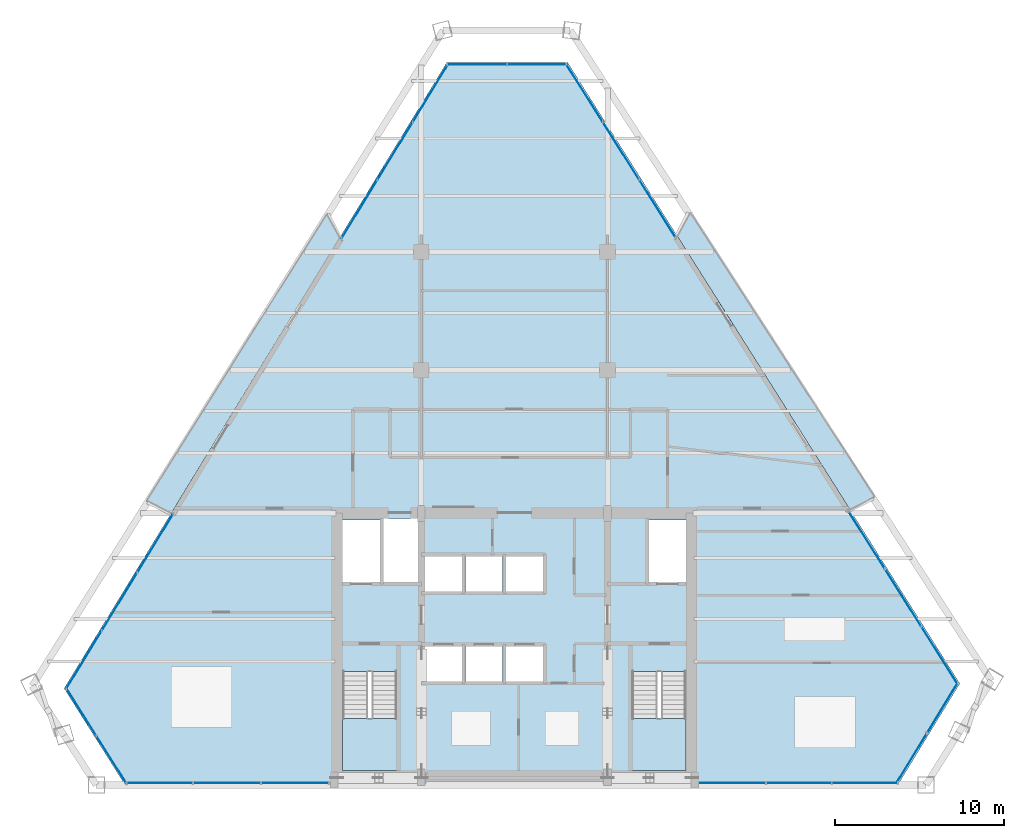
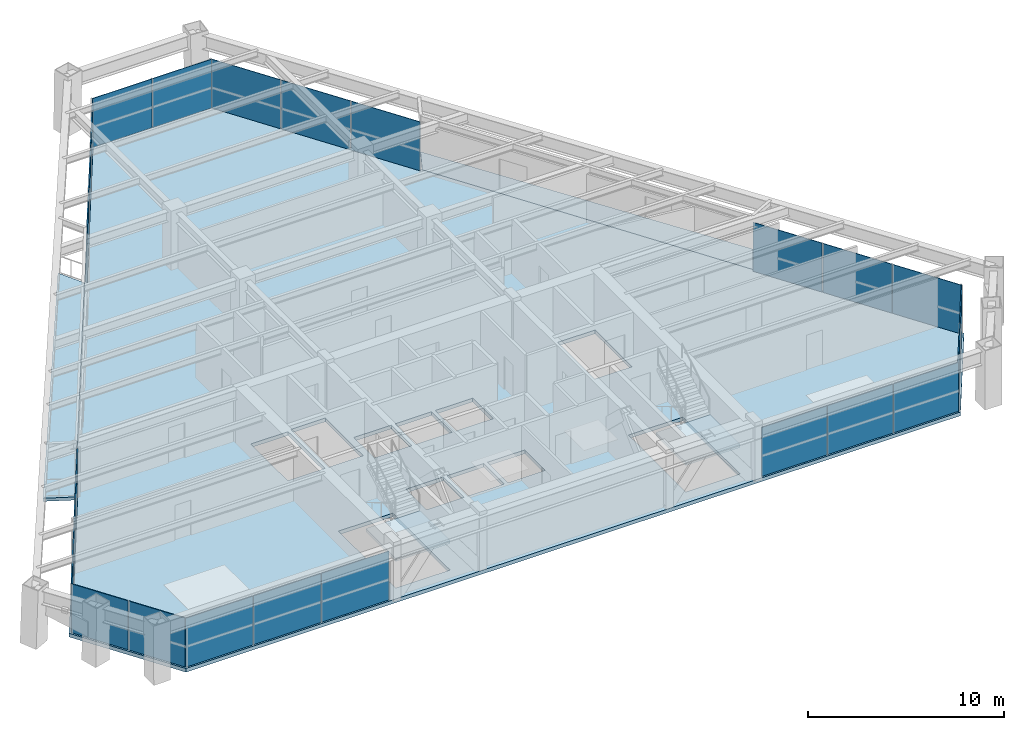
# One storey, part 8 of 13: 24 plates, 5 slabs, 11 elements without a shape of their own.
"""IFC4 building model written with IfcOpenShell, lengths in metres."""

from ifc_helpers import new_model, si_unit, direction, frame, origin, origin_2d, place, context, subcontext, project, spatial, polyline, rectangle, outline, extrude, source, transform, mapped, material, layer, layer_set, type_object, element, aggregate, save


model = new_model("IFC4")

# Units and contexts
model_context = context("Model", 3, precision=1e-05, world=origin(), true_north=direction((0.0, 1.0)))
body_context = subcontext(model_context, "Body", "Model", "MODEL_VIEW")
ifc_project = project(units=[si_unit("LENGTHUNIT", "METRE"), si_unit("AREAUNIT", "SQUARE_METRE"), si_unit("VOLUMEUNIT", "CUBIC_METRE"), si_unit("PLANEANGLEUNIT", "RADIAN"), si_unit("MASSUNIT", "GRAM", prefix="KILO")], contexts=[model_context])

# Site, building, storey
site_placement = place(None, origin())
site = spatial("IfcSite", under=ifc_project, at=site_placement, CompositionType="ELEMENT")
building_placement = place(site_placement, origin())
building = spatial("IfcBuilding", under=site, at=building_placement, Name="Varnakhor Terracotta Tower", CompositionType="ELEMENT")
storey_placement = place(building_placement, frame((0.0, 0.0, 200.60009765625)))
storey = spatial("IfcBuildingStorey", under=building, at=storey_placement, Name="L51", CompositionType="ELEMENT", Elevation=200.60009765625)

# Stair, slab
ifc_material_1 = material(Name="Concrete C40/50", Category="concrete")
stair_type = type_object("IfcStairType", Name="STR-CORE-OFFICE-1500", PredefinedType="HALF_TURN_STAIR", material=ifc_material_1)
stair_1_placement = place(storey_placement, origin())
stair_1 = element("IfcStair", 1, at=stair_1_placement, inside=storey, type_object=stair_type, Name="L51 Core Exit Stair ST-1", PredefinedType="HALF_TURN_STAIR")
ifc_layer_1 = layer(ifc_material_1, 0.179931640625, Name="Concrete C40/50")
ifc_layer_set_1 = layer_set([ifc_layer_1], Name="Concrete C40/50")
slab_type_1 = type_object("IfcSlabType", Name="SLB-LANDING-180", PredefinedType="LANDING", material=ifc_layer_set_1)
slab_1_placement = place(storey_placement, frame((0.0, 0.0, 1.64990234375)))
slab_1 = element("IfcSlab", 2, at=slab_1_placement, type_object=slab_type_1, Name="ST-1 landing 1", PredefinedType="LANDING", context=body_context, shape_type="SweptSolid", body=[
    extrude(outline(polyline([(-10.14990234375, 3.909912109375), (-10.14990234375, 0.85009765625), (-6.949951171875, 0.85009765625), (-6.949951171875, 3.909912109375), (-10.14990234375, 3.909912109375)])), origin(), (0.0, 0.0, 1.0), 0.199951171875),
])
aggregate(stair_1, [slab_1])

stair_2_placement = place(storey_placement, origin())
stair_2 = element("IfcStair", 3, at=stair_2_placement, inside=storey, type_object=stair_type, Name="L51 Core Exit Stair ST-2", PredefinedType="HALF_TURN_STAIR")
slab_2_placement = place(storey_placement, frame((0.0, 0.0, 1.64990234375)))
slab_2 = element("IfcSlab", 4, at=slab_2_placement, type_object=slab_type_1, Name="ST-2 landing 1", PredefinedType="LANDING", context=body_context, shape_type="SweptSolid", body=[
    extrude(outline(polyline([(6.949951171875, 3.909912109375), (6.949951171875, 0.85009765625), (10.14990234375, 0.85009765625), (10.14990234375, 3.909912109375), (6.949951171875, 3.909912109375)])), origin(), (0.0, 0.0, 1.0), 0.199951171875),
])
aggregate(stair_2, [slab_2])

# Slabs
ifc_layer_2 = layer(ifc_material_1, 0.195068359375, Name="Concrete C40/50")
ifc_layer_set_2 = layer_set([ifc_layer_2], Name="Concrete C40/50")
slab_type_2 = type_object("IfcSlabType", Name="SLB-LOGGIA-EXT-195", PredefinedType="FLOOR", material=ifc_layer_set_2)
slab_3_placement = place(storey_placement, frame((0.0, 0.0, -0.195068359375)))
element("IfcSlab", 5, at=slab_3_placement, inside=storey, type_object=slab_type_2, Name="L51 E Recessed Outdoor Loggia Slab", PredefinedType="FLOOR", context=body_context, shape_type="SweptSolid", body=[
    extrude(outline(polyline([(10.363525390625, 33.849365234375), (21.291259765625, 16.98681640625), (19.829833984375, 16.264892578125), (9.635498046875, 32.41064453125), (10.363525390625, 33.849365234375)])), origin(), (0.0, 0.0, 1.0), 0.195068359375),
])
slab_4_placement = place(storey_placement, frame((0.0, 0.0, -0.195068359375)))
element("IfcSlab", 6, at=slab_4_placement, inside=storey, type_object=slab_type_2, Name="L51 W Recessed Outdoor Loggia Slab", PredefinedType="FLOOR", context=body_context, shape_type="SweptSolid", body=[
    extrude(outline(polyline([(-21.752685546875, 16.77001953125), (-11.064697265625, 33.764892578125), (-10.333251953125, 32.330078125), (-20.281982421875, 16.05712890625), (-21.752685546875, 16.77001953125)])), origin(), (0.0, 0.0, 1.0), 0.195068359375),
])
ifc_layer_3 = layer(ifc_material_1, 0.22998046875, Name="Concrete C40/50")
ifc_layer_set_3 = layer_set([ifc_layer_3], Name="Concrete C40/50")
slab_type_3 = type_object("IfcSlabType", Name="SLB-OFF-230", PredefinedType="FLOOR", material=ifc_layer_set_3)
slab_5_placement = place(storey_placement, frame((0.0, 0.0, -0.22998046875)))
element("IfcSlab", 7, at=slab_5_placement, inside=storey, type_object=slab_type_3, Name="L51 Structural Floor Slab", PredefinedType="FLOOR", context=body_context, shape_type="SweptSolid", body=[
    extrude(outline(polyline([(-26.61328125, 5.70166015625), (-4.001953125, 42.685302734375), (3.148193359375, 42.685302734375), (26.317138671875, 5.990234375), (22.65478515625, 0.0), (-23.01318359375, 0.0), (-26.61328125, 5.70166015625)]), holes=[polyline([(-6.949951171875, 0.85009765625), (-6.949951171875, 6.695068359375), (-10.14990234375, 6.695068359375), (-10.14990234375, 0.85009765625), (-6.949951171875, 0.85009765625)]), polyline([(-3.10009765625, 6.10009765625), (-3.10009765625, 8.199951171875), (-5.300048828125, 8.199951171875), (-5.300048828125, 6.10009765625), (-3.10009765625, 6.10009765625)]), polyline([(-0.719970703125, 6.10009765625), (-0.719970703125, 8.199951171875), (-2.8798828125, 8.199951171875), (-2.8798828125, 6.10009765625), (-0.719970703125, 6.10009765625)]), polyline([(-5.300048828125, 11.419921875), (-3.10009765625, 11.419921875), (-3.10009765625, 13.52001953125), (-5.300048828125, 13.52001953125), (-5.300048828125, 11.419921875)]), polyline([(-10.14990234375, 11.8798828125), (-7.949951171875, 11.8798828125), (-7.949951171875, 15.64990234375), (-10.14990234375, 15.64990234375), (-10.14990234375, 11.8798828125)]), polyline([(-5.699951171875, 11.8798828125), (-5.699951171875, 15.75), (-7.72998046875, 15.75), (-7.72998046875, 11.8798828125), (-5.699951171875, 11.8798828125)]), polyline([(6.949951171875, 0.85009765625), (10.14990234375, 0.85009765625), (10.14990234375, 6.695068359375), (6.949951171875, 6.695068359375), (6.949951171875, 0.85009765625)]), polyline([(-0.5, 6.10009765625), (1.699951171875, 6.10009765625), (1.699951171875, 8.199951171875), (-0.5, 8.199951171875), (-0.5, 6.10009765625)]), polyline([(-0.719970703125, 11.419921875), (-0.719970703125, 13.52001953125), (-2.8798828125, 13.52001953125), (-2.8798828125, 11.419921875), (-0.719970703125, 11.419921875)]), polyline([(-0.5, 11.419921875), (1.699951171875, 11.419921875), (1.699951171875, 13.52001953125), (-0.5, 13.52001953125), (-0.5, 11.419921875)]), polyline([(7.949951171875, 11.8798828125), (10.14990234375, 11.8798828125), (10.14990234375, 15.64990234375), (7.949951171875, 15.64990234375), (7.949951171875, 11.8798828125)])]), origin(), (0.0, 0.0, 1.0), 0.22998046875),
])

# Curtain wall, plates
ifc_material_2 = material(Name="Anodised Aluminium Curtain Wall System", Category="aluminium")
curtain_wall_type = type_object("IfcCurtainWallType", Name="CW-SYS-MID-OFFICE", PredefinedType="NOTDEFINED", material=ifc_material_2)
curtain_wall_1_placement = place(storey_placement, origin())
curtain_wall_1 = element("IfcCurtainWall", 8, at=curtain_wall_1_placement, inside=storey, type_object=curtain_wall_type, Name="L51 W Facet Curtain Wall 1", PredefinedType="NOTDEFINED")
ifc_material_3 = material(Name="Solar-Control Low-E Insulated Glass Panel", Category="glass")
ifc_layer_4 = layer(ifc_material_3, 0.035888671875, Name="Solar-Control Low-E Insulated Glass Panel")
ifc_layer_set_4 = layer_set([ifc_layer_4], Name="Solar-Control Low-E Insulated Glass Panel")
plate_type = type_object("IfcPlateType", Name="CWP-03", PredefinedType="CURTAIN_PANEL", material=ifc_layer_set_4)
shared_shape_1 = source(origin(), body_context, "Body", "SweptSolid", [
    extrude(rectangle(XDim=3.98583984375, YDim=0.035888671875, at=origin_2d()), origin(), (0.0, 0.0, 1.0), 3.050048828125),
])
plate_1_placement = place(storey_placement, frame((-25.4453125, 7.382080078125, 0.0), z_axis=(0.0, 0.0, 1.0), x_axis=(0.521620286535, 0.853177752098, 0.0)))
plate_1 = element("IfcPlate", 9, at=plate_1_placement, type_object=plate_type, Name="L51 W Facet Curtain Wall 1 Glazed Panel 1", PredefinedType="CURTAIN_PANEL", context=body_context, shape_type="MappedRepresentation", body=[
    mapped(shared_shape_1, transform((0.0, 0.0, 0.0), scale=1.0)),
])
plate_2_placement = place(storey_placement, frame((-23.34521484375, 10.81689453125, 0.0), z_axis=(0.0, 0.0, 1.0), x_axis=(0.521620286535, 0.853177752098, 0.0)))
plate_2 = element("IfcPlate", 10, at=plate_2_placement, type_object=plate_type, Name="L51 W Facet Curtain Wall 1 Glazed Panel 2", PredefinedType="CURTAIN_PANEL", context=body_context, shape_type="MappedRepresentation", body=[
    mapped(shared_shape_1, transform((0.0, 0.0, 0.0), scale=1.0)),
])
plate_3_placement = place(storey_placement, frame((-21.245361328125, 14.25146484375, 0.0), z_axis=(0.0, 0.0, 1.0), x_axis=(0.521620286535, 0.853177752098, 0.0)))
plate_3 = element("IfcPlate", 11, at=plate_3_placement, type_object=plate_type, Name="L51 W Facet Curtain Wall 1 Glazed Panel 3", PredefinedType="CURTAIN_PANEL", context=body_context, shape_type="MappedRepresentation", body=[
    mapped(shared_shape_1, transform((0.0, 0.0, 0.0), scale=1.0)),
])
aggregate(curtain_wall_1, [plate_1, plate_2, plate_3])

curtain_wall_2_placement = place(storey_placement, origin())
curtain_wall_2 = element("IfcCurtainWall", 12, at=curtain_wall_2_placement, inside=storey, type_object=curtain_wall_type, Name="L51 W Facet Curtain Wall 2", PredefinedType="NOTDEFINED")
plate_4_placement = place(storey_placement, frame((-9.165283203125, 34.010498046875, 0.0), z_axis=(0.0, 0.0, 1.0), x_axis=(0.521620286535, 0.853177752098, 0.0)))
plate_4 = element("IfcPlate", 13, at=plate_4_placement, type_object=plate_type, Name="L51 W Facet Curtain Wall 2 Glazed Panel 1", PredefinedType="CURTAIN_PANEL", context=body_context, shape_type="MappedRepresentation", body=[
    mapped(shared_shape_1, transform((0.0, 0.0, 0.0), scale=1.0)),
])
plate_5_placement = place(storey_placement, frame((-7.065185546875, 37.445068359375, 0.0), z_axis=(0.0, 0.0, 1.0), x_axis=(0.521620286535, 0.853177752098, 0.0)))
plate_5 = element("IfcPlate", 14, at=plate_5_placement, type_object=plate_type, Name="L51 W Facet Curtain Wall 2 Glazed Panel 2", PredefinedType="CURTAIN_PANEL", context=body_context, shape_type="MappedRepresentation", body=[
    mapped(shared_shape_1, transform((0.0, 0.0, 0.0), scale=1.0)),
])
plate_6_placement = place(storey_placement, frame((-4.96533203125, 40.8798828125, 0.0), z_axis=(0.0, 0.0, 1.0), x_axis=(0.521620286535, 0.853177752098, 0.0)))
plate_6 = element("IfcPlate", 15, at=plate_6_placement, type_object=plate_type, Name="L51 W Facet Curtain Wall 2 Glazed Panel 3", PredefinedType="CURTAIN_PANEL", context=body_context, shape_type="MappedRepresentation", body=[
    mapped(shared_shape_1, transform((0.0, 0.0, 0.0), scale=1.0)),
])
aggregate(curtain_wall_2, [plate_4, plate_5, plate_6])

curtain_wall_3_placement = place(storey_placement, origin())
curtain_wall_3 = element("IfcCurtainWall", 16, at=curtain_wall_3_placement, inside=storey, type_object=curtain_wall_type, Name="L51 Facet Curtain Wall 2", PredefinedType="NOTDEFINED")
shared_shape_2 = source(origin(), body_context, "Body", "SweptSolid", [
    extrude(rectangle(XDim=3.505126953125, YDim=0.035888671875, at=origin_2d()), origin(), (0.0, 0.0, 1.0), 3.050048828125),
])
plate_7_placement = place(storey_placement, frame((-2.199462890625, 42.5654296875, 0.0), z_axis=(0.0, 0.0, 1.0), x_axis=(1.0, 0.0, 0.0)))
plate_7 = element("IfcPlate", 17, at=plate_7_placement, type_object=plate_type, Name="L51 Facet Curtain Wall 2 Glazed Panel 1", PredefinedType="CURTAIN_PANEL", context=body_context, shape_type="MappedRepresentation", body=[
    mapped(shared_shape_2, transform((0.0, 0.0, 0.0), scale=1.0)),
])
plate_8_placement = place(storey_placement, frame((1.345703125, 42.5654296875, 0.0), z_axis=(0.0, 0.0, 1.0), x_axis=(1.0, 0.0, 0.0)))
plate_8 = element("IfcPlate", 18, at=plate_8_placement, type_object=plate_type, Name="L51 Facet Curtain Wall 2 Glazed Panel 2", PredefinedType="CURTAIN_PANEL", context=body_context, shape_type="MappedRepresentation", body=[
    mapped(shared_shape_2, transform((0.0, 0.0, 0.0), scale=1.0)),
])
aggregate(curtain_wall_3, [plate_7, plate_8])

curtain_wall_4_placement = place(storey_placement, origin())
curtain_wall_4 = element("IfcCurtainWall", 19, at=curtain_wall_4_placement, inside=storey, type_object=curtain_wall_type, Name="L51 E Facet Curtain Wall 1", PredefinedType="NOTDEFINED")
shared_shape_3 = source(origin(), body_context, "Body", "SweptSolid", [
    extrude(rectangle(XDim=3.990478515625, YDim=0.035888671875, at=origin_2d()), origin(), (0.0, 0.0, 1.0), 3.050048828125),
])
plate_9_placement = place(storey_placement, frame((4.138671875, 40.89208984375, 0.0), z_axis=(0.0, 0.0, 1.0), x_axis=(0.53388018281, -0.845560140027, 0.0)))
plate_9 = element("IfcPlate", 20, at=plate_9_placement, type_object=plate_type, Name="L51 E Facet Curtain Wall 1 Glazed Panel 1", PredefinedType="CURTAIN_PANEL", context=body_context, shape_type="MappedRepresentation", body=[
    mapped(shared_shape_3, transform((0.0, 0.0, 0.0), scale=1.0)),
])
plate_10_placement = place(storey_placement, frame((6.290283203125, 37.48388671875, 0.0), z_axis=(0.0, 0.0, 1.0), x_axis=(0.53388018281, -0.845560140027, 0.0)))
plate_10 = element("IfcPlate", 21, at=plate_10_placement, type_object=plate_type, Name="L51 E Facet Curtain Wall 1 Glazed Panel 2", PredefinedType="CURTAIN_PANEL", context=body_context, shape_type="MappedRepresentation", body=[
    mapped(shared_shape_3, transform((0.0, 0.0, 0.0), scale=1.0)),
])
plate_11_placement = place(storey_placement, frame((8.442138671875, 34.075927734375, 0.0), z_axis=(0.0, 0.0, 1.0), x_axis=(0.53388018281, -0.845560140027, 0.0)))
plate_11 = element("IfcPlate", 22, at=plate_11_placement, type_object=plate_type, Name="L51 E Facet Curtain Wall 1 Glazed Panel 3", PredefinedType="CURTAIN_PANEL", context=body_context, shape_type="MappedRepresentation", body=[
    mapped(shared_shape_3, transform((0.0, 0.0, 0.0), scale=1.0)),
])
aggregate(curtain_wall_4, [plate_9, plate_10, plate_11])

curtain_wall_5_placement = place(storey_placement, origin())
curtain_wall_5 = element("IfcCurtainWall", 23, at=curtain_wall_5_placement, inside=storey, type_object=curtain_wall_type, Name="L51 E Facet Curtain Wall 2", PredefinedType="NOTDEFINED")
plate_12_placement = place(storey_placement, frame((20.8203125, 14.471435546875, 0.0), z_axis=(0.0, 0.0, 1.0), x_axis=(0.53388018281, -0.845560140027, 0.0)))
plate_12 = element("IfcPlate", 24, at=plate_12_placement, type_object=plate_type, Name="L51 E Facet Curtain Wall 2 Glazed Panel 1", PredefinedType="CURTAIN_PANEL", context=body_context, shape_type="MappedRepresentation", body=[
    mapped(shared_shape_3, transform((0.0, 0.0, 0.0), scale=1.0)),
])
plate_13_placement = place(storey_placement, frame((22.971923828125, 11.0634765625, 0.0), z_axis=(0.0, 0.0, 1.0), x_axis=(0.53388018281, -0.845560140027, 0.0)))
plate_13 = element("IfcPlate", 25, at=plate_13_placement, type_object=plate_type, Name="L51 E Facet Curtain Wall 2 Glazed Panel 2", PredefinedType="CURTAIN_PANEL", context=body_context, shape_type="MappedRepresentation", body=[
    mapped(shared_shape_3, transform((0.0, 0.0, 0.0), scale=1.0)),
])
plate_14_placement = place(storey_placement, frame((25.123779296875, 7.655517578125, 0.0), z_axis=(0.0, 0.0, 1.0), x_axis=(0.53388018281, -0.845560140027, 0.0)))
plate_14 = element("IfcPlate", 26, at=plate_14_placement, type_object=plate_type, Name="L51 E Facet Curtain Wall 2 Glazed Panel 3", PredefinedType="CURTAIN_PANEL", context=body_context, shape_type="MappedRepresentation", body=[
    mapped(shared_shape_3, transform((0.0, 0.0, 0.0), scale=1.0)),
])
aggregate(curtain_wall_5, [plate_12, plate_13, plate_14])

curtain_wall_6_placement = place(storey_placement, origin())
curtain_wall_6 = element("IfcCurtainWall", 27, at=curtain_wall_6_placement, inside=storey, type_object=curtain_wall_type, Name="L51 Facet Curtain Wall 4", PredefinedType="NOTDEFINED")
shared_shape_4 = source(origin(), body_context, "Body", "SweptSolid", [
    extrude(rectangle(XDim=3.4404296875, YDim=0.035888671875, at=origin_2d()), origin(), (0.0, 0.0, 1.0), 3.050048828125),
])
plate_15_placement = place(storey_placement, frame((25.29150390625, 4.54248046875, 0.0), z_axis=(0.0, 0.0, 1.0), x_axis=(-0.521620286535, -0.853177752098, 0.0)))
plate_15 = element("IfcPlate", 28, at=plate_15_placement, type_object=plate_type, Name="L51 Facet Curtain Wall 4 Glazed Panel 1", PredefinedType="CURTAIN_PANEL", context=body_context, shape_type="MappedRepresentation", body=[
    mapped(shared_shape_4, transform((0.0, 0.0, 0.0), scale=1.0)),
])
plate_16_placement = place(storey_placement, frame((23.475830078125, 1.572998046875, 0.0), z_axis=(0.0, 0.0, 1.0), x_axis=(-0.521620286535, -0.853177752098, 0.0)))
plate_16 = element("IfcPlate", 29, at=plate_16_placement, type_object=plate_type, Name="L51 Facet Curtain Wall 4 Glazed Panel 2", PredefinedType="CURTAIN_PANEL", context=body_context, shape_type="MappedRepresentation", body=[
    mapped(shared_shape_4, transform((0.0, 0.0, 0.0), scale=1.0)),
])
aggregate(curtain_wall_6, [plate_15, plate_16])

curtain_wall_7_placement = place(storey_placement, origin())
curtain_wall_7 = element("IfcCurtainWall", 30, at=curtain_wall_7_placement, inside=storey, type_object=curtain_wall_type, Name="L51 South Wing Curtain Wall SSE", PredefinedType="NOTDEFINED")
shared_shape_5 = source(origin(), body_context, "Body", "SweptSolid", [
    extrude(rectangle(XDim=3.8515625, YDim=0.035888671875, at=origin_2d()), origin(), (0.0, 0.0, 1.0), 3.050048828125),
])
plate_17_placement = place(storey_placement, frame((20.698974609375, 0.1201171875, 0.0), z_axis=(0.0, 0.0, 1.0), x_axis=(-1.0, 0.0, 0.0)))
plate_17 = element("IfcPlate", 31, at=plate_17_placement, type_object=plate_type, Name="L51 South Wing Curtain Wall SSE Glazed Panel 1", PredefinedType="CURTAIN_PANEL", context=body_context, shape_type="MappedRepresentation", body=[
    mapped(shared_shape_5, transform((0.0, 0.0, 0.0), scale=1.0)),
])
plate_18_placement = place(storey_placement, frame((16.807373046875, 0.1201171875, 0.0), z_axis=(0.0, 0.0, 1.0), x_axis=(-1.0, 0.0, 0.0)))
plate_18 = element("IfcPlate", 32, at=plate_18_placement, type_object=plate_type, Name="L51 South Wing Curtain Wall SSE Glazed Panel 2", PredefinedType="CURTAIN_PANEL", context=body_context, shape_type="MappedRepresentation", body=[
    mapped(shared_shape_5, transform((0.0, 0.0, 0.0), scale=1.0)),
])
plate_19_placement = place(storey_placement, frame((12.915771484375, 0.1201171875, 0.0), z_axis=(0.0, 0.0, 1.0), x_axis=(-1.0, 0.0, 0.0)))
plate_19 = element("IfcPlate", 33, at=plate_19_placement, type_object=plate_type, Name="L51 South Wing Curtain Wall SSE Glazed Panel 3", PredefinedType="CURTAIN_PANEL", context=body_context, shape_type="MappedRepresentation", body=[
    mapped(shared_shape_5, transform((0.0, 0.0, 0.0), scale=1.0)),
])
aggregate(curtain_wall_7, [plate_17, plate_18, plate_19])

curtain_wall_8_placement = place(storey_placement, origin())
curtain_wall_8 = element("IfcCurtainWall", 34, at=curtain_wall_8_placement, inside=storey, type_object=curtain_wall_type, Name="L51 South Wing Curtain Wall SSW", PredefinedType="NOTDEFINED")
shared_shape_6 = source(origin(), body_context, "Body", "SweptSolid", [
    extrude(rectangle(XDim=3.97119140625, YDim=0.035888671875, at=origin_2d()), origin(), (0.0, 0.0, 1.0), 3.050048828125),
])
plate_20_placement = place(storey_placement, frame((-12.9755859375, 0.1201171875, 0.0), z_axis=(0.0, 0.0, 1.0), x_axis=(-1.0, 0.0, 0.0)))
plate_20 = element("IfcPlate", 35, at=plate_20_placement, type_object=plate_type, Name="L51 South Wing Curtain Wall SSW Glazed Panel 1", PredefinedType="CURTAIN_PANEL", context=body_context, shape_type="MappedRepresentation", body=[
    mapped(shared_shape_6, transform((0.0, 0.0, 0.0), scale=1.0)),
])
plate_21_placement = place(storey_placement, frame((-16.98681640625, 0.1201171875, 0.0), z_axis=(0.0, 0.0, 1.0), x_axis=(-1.0, 0.0, 0.0)))
plate_21 = element("IfcPlate", 36, at=plate_21_placement, type_object=plate_type, Name="L51 South Wing Curtain Wall SSW Glazed Panel 2", PredefinedType="CURTAIN_PANEL", context=body_context, shape_type="MappedRepresentation", body=[
    mapped(shared_shape_6, transform((0.0, 0.0, 0.0), scale=1.0)),
])
plate_22_placement = place(storey_placement, frame((-20.997802734375, 0.1201171875, 0.0), z_axis=(0.0, 0.0, 1.0), x_axis=(-1.0, 0.0, 0.0)))
plate_22 = element("IfcPlate", 37, at=plate_22_placement, type_object=plate_type, Name="L51 South Wing Curtain Wall SSW Glazed Panel 3", PredefinedType="CURTAIN_PANEL", context=body_context, shape_type="MappedRepresentation", body=[
    mapped(shared_shape_6, transform((0.0, 0.0, 0.0), scale=1.0)),
])
aggregate(curtain_wall_8, [plate_20, plate_21, plate_22])

curtain_wall_9_placement = place(storey_placement, origin())
curtain_wall_9 = element("IfcCurtainWall", 38, at=curtain_wall_9_placement, inside=storey, type_object=curtain_wall_type, Name="L51 Facet Curtain Wall 6", PredefinedType="NOTDEFINED")
shared_shape_7 = source(origin(), body_context, "Body", "SweptSolid", [
    extrude(rectangle(XDim=3.301513671875, YDim=0.035888671875, at=origin_2d()), origin(), (0.0, 0.0, 1.0), 3.050048828125),
])
plate_23_placement = place(storey_placement, frame((-23.81982421875, 1.502197265625, 0.0), z_axis=(0.0, 0.0, 1.0), x_axis=(-0.53388018281, 0.845560140027, 0.0)))
plate_23 = element("IfcPlate", 39, at=plate_23_placement, type_object=plate_type, Name="L51 Facet Curtain Wall 6 Glazed Panel 1", PredefinedType="CURTAIN_PANEL", context=body_context, shape_type="MappedRepresentation", body=[
    mapped(shared_shape_7, transform((0.0, 0.0, 0.0), scale=1.0)),
])
plate_24_placement = place(storey_placement, frame((-25.603759765625, 4.32763671875, 0.0), z_axis=(0.0, 0.0, 1.0), x_axis=(-0.53388018281, 0.845560140027, 0.0)))
plate_24 = element("IfcPlate", 40, at=plate_24_placement, type_object=plate_type, Name="L51 Facet Curtain Wall 6 Glazed Panel 2", PredefinedType="CURTAIN_PANEL", context=body_context, shape_type="MappedRepresentation", body=[
    mapped(shared_shape_7, transform((0.0, 0.0, 0.0), scale=1.0)),
])
aggregate(curtain_wall_9, [plate_23, plate_24])

save(model, "model.ifc")
